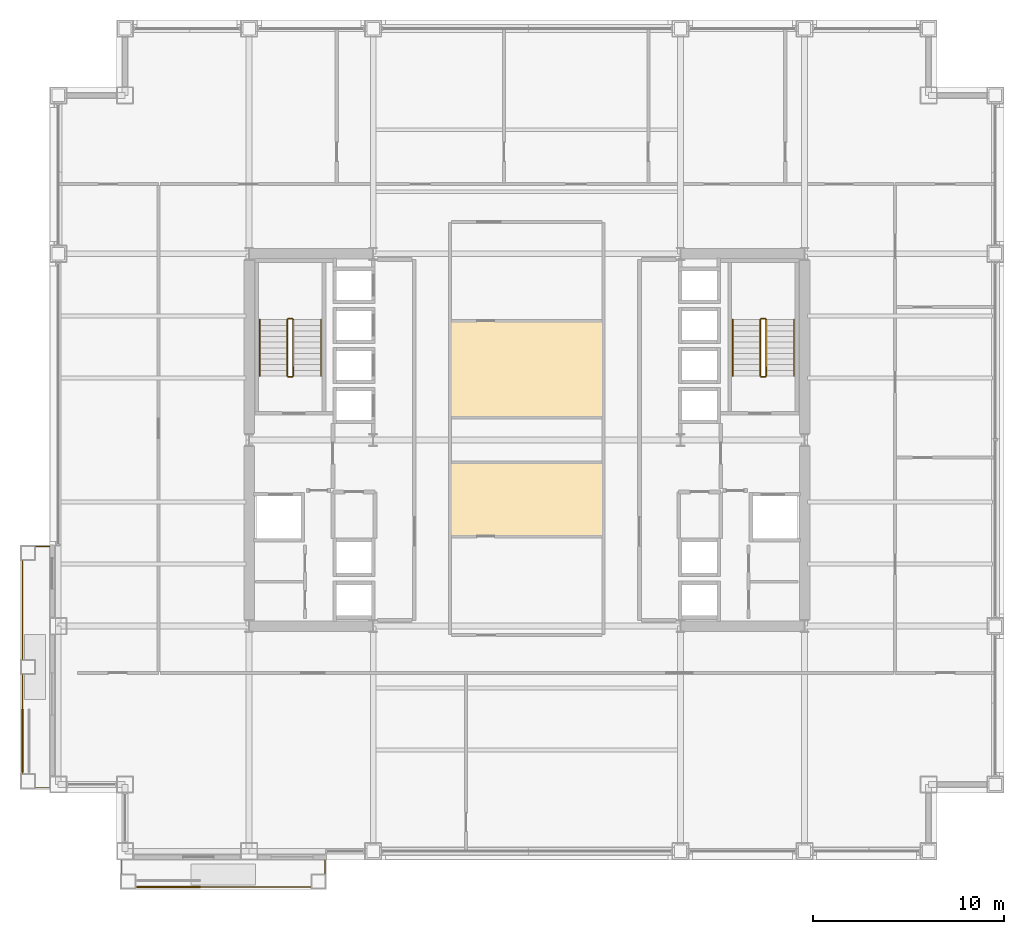
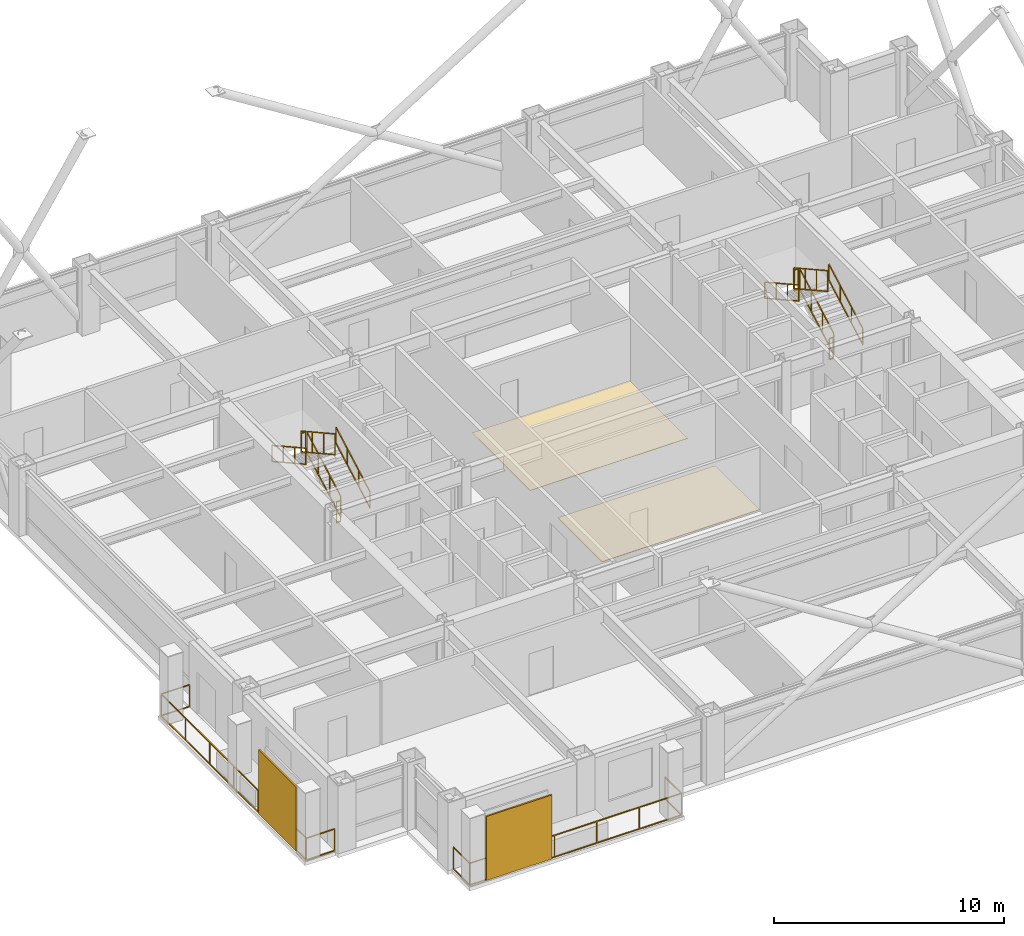
# One storey, part 28 of 29: 14 railings, 2 coverings, 2 shading devices.
"""IFC4 building model written with IfcOpenShell, lengths in metres."""

from ifc_helpers import new_model, si_unit, direction, frame, origin, origin_2d, place, context, subcontext, project, spatial, polyline, rectangle, outline, extrude, material, layer, layer_set, type_object, element, save


model = new_model("IFC4")

# Units and contexts
model_context = context("Model", 3, precision=1e-05, world=origin(), true_north=direction((0.0, 1.0)))
body_context = subcontext(model_context, "Body", "Model", "MODEL_VIEW")
ifc_project = project(units=[si_unit("LENGTHUNIT", "METRE"), si_unit("AREAUNIT", "SQUARE_METRE"), si_unit("VOLUMEUNIT", "CUBIC_METRE"), si_unit("PLANEANGLEUNIT", "RADIAN"), si_unit("MASSUNIT", "GRAM", prefix="KILO")], contexts=[model_context])

# Site, building, storey
site_placement = place(None, origin())
site = spatial("IfcSite", under=ifc_project, at=site_placement, CompositionType="ELEMENT")
building_placement = place(site_placement, origin())
building = spatial("IfcBuilding", under=site, at=building_placement, Name="Brelmoor Portico Tower", CompositionType="ELEMENT")
storey_placement = place(building_placement, frame((0.0, 0.0, 67.199951171875)))
storey = spatial("IfcBuildingStorey", under=building, at=storey_placement, Name="L17", CompositionType="ELEMENT", Elevation=67.199951171875)

# Coverings
ifc_material_1 = material(Name="Polished Pale-Aggregate Cementitious Terrazzo", Category="stone")
ifc_layer_1 = layer(ifc_material_1, 0.030029296875)
ifc_layer_set_1 = layer_set([ifc_layer_1], Name="Polished Pale-Aggregate Cementitious Terrazzo")
covering_type_1 = type_object("IfcCoveringType", Name="CV-FLR-TERRAZZO-30", PredefinedType="FLOORING", material=ifc_layer_set_1)
covering_1_placement = place(storey_placement, origin())
element("IfcCovering", 1, at=covering_1_placement, inside=storey, type_object=covering_type_1, Name="L17 Architectural Floor Finish 02", PredefinedType="FLOORING", context=body_context, shape_type="SweptSolid", body=[
    extrude(outline(polyline([(-3.9599609375, -5.06005859375), (-3.9599609375, -1.199951171875), (3.9599609375, -1.199951171875), (3.9599609375, -5.06005859375), (-3.9599609375, -5.06005859375)])), origin(), (0.0, 0.0, 1.0), 0.030029296875),
])
ifc_material_2 = material(Name="Engineered Quarter-Sawn Oak Parquet Flooring", Category="timber")
ifc_layer_2 = layer(ifc_material_2, 0.02197265625)
ifc_layer_set_2 = layer_set([ifc_layer_2], Name="Engineered Quarter-Sawn Oak Parquet Flooring")
covering_type_2 = type_object("IfcCoveringType", Name="CV-FLR-TIMBER-22", PredefinedType="FLOORING", material=ifc_layer_set_2)
covering_2_placement = place(storey_placement, origin())
element("IfcCovering", 2, at=covering_2_placement, inside=storey, type_object=covering_type_2, Name="L17 Architectural Floor Finish 01", PredefinedType="FLOORING", context=body_context, shape_type="SweptSolid", body=[
    extrude(outline(polyline([(-3.9599609375, 1.199951171875), (-3.9599609375, 6.260009765625), (3.9599609375, 6.260009765625), (3.9599609375, 1.199951171875), (-3.9599609375, 1.199951171875)])), origin(), (0.0, 0.0, 1.0), 0.02197265625),
])

# Railings
ifc_material_3 = material(Name="Perforated Pale Champagne Aluminium Fretwork Guard", Category="aluminium")
railing_type_1 = type_object("IfcRailingType", Name="RL-BALUSTRADE-1200", PredefinedType="BALUSTRADE", material=ifc_material_3)
railing_1_placement = place(storey_placement, frame((-21.219970703125, -22.0, 0.0)))
element("IfcRailing", 3, at=railing_1_placement, inside=storey, type_object=railing_type_1, Name="L17 Tree Balcony Fretwork Balustrade S", PredefinedType="BALUSTRADE", context=body_context, shape_type="SweptSolid", body=[
    extrude(rectangle(XDim=0.048095703125, YDim=0.048095703125, at=origin_2d()), frame((0.0, 0.0, 1.17578125), z_axis=(0.0, -1.0, 0.0), x_axis=(1.0, 0.0, 0.0)), (0.0, 0.0, 1.0), 1.429931640625),
    extrude(rectangle(XDim=0.048095703125, YDim=0.048095703125, at=origin_2d()), frame((0.0, 0.0, 0.02392578125), z_axis=(0.0, -1.0, 0.0), x_axis=(1.0, 0.0, 0.0)), (0.0, 0.0, 1.0), 1.429931640625),
    extrude(rectangle(XDim=0.048095703125, YDim=0.048095703125, at=origin_2d()), frame((0.0, -1.429931640625, 1.17578125), z_axis=(1.0, 0.0, 0.0), x_axis=(0.0, 1.0, 0.0)), (0.0, 0.0, 1.0), 10.639892578125),
    extrude(rectangle(XDim=0.048095703125, YDim=0.048095703125, at=origin_2d()), frame((0.0, -1.429931640625, 0.02392578125), z_axis=(1.0, 0.0, 0.0), x_axis=(0.0, 1.0, 0.0)), (0.0, 0.0, 1.0), 10.639892578125),
    extrude(rectangle(XDim=0.048095703125, YDim=0.048095703125, at=origin_2d()), frame((10.639892578125, -1.429931640625, 1.17578125), z_axis=(0.0, 1.0, 0.0), x_axis=(-1.0, 0.0, 0.0)), (0.0, 0.0, 1.0), 1.429931640625),
    extrude(rectangle(XDim=0.048095703125, YDim=0.048095703125, at=origin_2d()), frame((10.639892578125, -1.429931640625, 0.02392578125), z_axis=(0.0, 1.0, 0.0), x_axis=(-1.0, 0.0, 0.0)), (0.0, 0.0, 1.0), 1.429931640625),
    extrude(rectangle(XDim=0.0419921875, YDim=0.0419921875, at=origin_2d()), origin(), (0.0, 0.0, 1.0), 1.15185546875),
    extrude(rectangle(XDim=0.0419921875, YDim=0.0419921875, at=origin_2d()), frame((0.0, -1.429931640625, 0.0)), (0.0, 0.0, 1.0), 1.15185546875),
    extrude(rectangle(XDim=0.0419921875, YDim=0.0419921875, at=origin_2d()), frame((2.1279296875, -1.429931640625, 0.0)), (0.0, 0.0, 1.0), 1.15185546875),
    extrude(rectangle(XDim=0.0419921875, YDim=0.0419921875, at=origin_2d()), frame((4.255859375, -1.429931640625, 0.0)), (0.0, 0.0, 1.0), 1.15185546875),
    extrude(rectangle(XDim=0.0419921875, YDim=0.0419921875, at=origin_2d()), frame((6.384033203125, -1.429931640625, 0.0)), (0.0, 0.0, 1.0), 1.15185546875),
    extrude(rectangle(XDim=0.0419921875, YDim=0.0419921875, at=origin_2d()), frame((8.511962890625, -1.429931640625, 0.0)), (0.0, 0.0, 1.0), 1.15185546875),
    extrude(rectangle(XDim=0.0419921875, YDim=0.0419921875, at=origin_2d()), frame((10.639892578125, -1.429931640625, 0.0)), (0.0, 0.0, 1.0), 1.15185546875),
    extrude(rectangle(XDim=0.0419921875, YDim=0.0419921875, at=origin_2d()), frame((10.639892578125, 0.0, 0.0)), (0.0, 0.0, 1.0), 1.15185546875),
])
railing_2_placement = place(storey_placement, frame((-25.0, -18.219970703125, 0.0)))
element("IfcRailing", 4, at=railing_2_placement, inside=storey, type_object=railing_type_1, Name="L17 Tree Balcony Fretwork Balustrade W", PredefinedType="BALUSTRADE", context=body_context, shape_type="SweptSolid", body=[
    extrude(rectangle(XDim=0.048095703125, YDim=0.048095703125, at=origin_2d()), frame((0.0, 0.0, 1.17578125), z_axis=(-1.0, 0.0, 0.0), x_axis=(0.0, -1.0, 0.0)), (0.0, 0.0, 1.0), 1.429931640625),
    extrude(rectangle(XDim=0.048095703125, YDim=0.048095703125, at=origin_2d()), frame((0.0, 0.0, 0.02392578125), z_axis=(-1.0, 0.0, 0.0), x_axis=(0.0, -1.0, 0.0)), (0.0, 0.0, 1.0), 1.429931640625),
    extrude(rectangle(XDim=0.048095703125, YDim=0.048095703125, at=origin_2d()), frame((-1.429931640625, 0.0, 1.17578125), z_axis=(0.0, 1.0, 0.0), x_axis=(-1.0, 0.0, 0.0)), (0.0, 0.0, 1.0), 12.639892578125),
    extrude(rectangle(XDim=0.048095703125, YDim=0.048095703125, at=origin_2d()), frame((-1.429931640625, 0.0, 0.02392578125), z_axis=(0.0, 1.0, 0.0), x_axis=(-1.0, 0.0, 0.0)), (0.0, 0.0, 1.0), 12.639892578125),
    extrude(rectangle(XDim=0.048095703125, YDim=0.048095703125, at=origin_2d()), frame((-1.429931640625, 12.639892578125, 1.17578125), z_axis=(1.0, 0.0, 0.0), x_axis=(0.0, 1.0, 0.0)), (0.0, 0.0, 1.0), 1.429931640625),
    extrude(rectangle(XDim=0.048095703125, YDim=0.048095703125, at=origin_2d()), frame((-1.429931640625, 12.639892578125, 0.02392578125), z_axis=(1.0, 0.0, 0.0), x_axis=(0.0, 1.0, 0.0)), (0.0, 0.0, 1.0), 1.429931640625),
    extrude(rectangle(XDim=0.0419921875, YDim=0.0419921875, at=origin_2d()), origin(), (0.0, 0.0, 1.0), 1.15185546875),
    extrude(rectangle(XDim=0.0419921875, YDim=0.0419921875, at=origin_2d()), frame((-1.429931640625, 0.0, 0.0)), (0.0, 0.0, 1.0), 1.15185546875),
    extrude(rectangle(XDim=0.0419921875, YDim=0.0419921875, at=origin_2d()), frame((-1.429931640625, 2.106689453125, 0.0)), (0.0, 0.0, 1.0), 1.15185546875),
    extrude(rectangle(XDim=0.0419921875, YDim=0.0419921875, at=origin_2d()), frame((-1.429931640625, 4.21337890625, 0.0)), (0.0, 0.0, 1.0), 1.15185546875),
    extrude(rectangle(XDim=0.0419921875, YDim=0.0419921875, at=origin_2d()), frame((-1.429931640625, 6.31982421875, 0.0)), (0.0, 0.0, 1.0), 1.15185546875),
    extrude(rectangle(XDim=0.0419921875, YDim=0.0419921875, at=origin_2d()), frame((-1.429931640625, 8.426513671875, 0.0)), (0.0, 0.0, 1.0), 1.15185546875),
    extrude(rectangle(XDim=0.0419921875, YDim=0.0419921875, at=origin_2d()), frame((-1.429931640625, 10.533203125, 0.0)), (0.0, 0.0, 1.0), 1.15185546875),
    extrude(rectangle(XDim=0.0419921875, YDim=0.0419921875, at=origin_2d()), frame((-1.429931640625, 12.639892578125, 0.0)), (0.0, 0.0, 1.0), 1.15185546875),
    extrude(rectangle(XDim=0.0419921875, YDim=0.0419921875, at=origin_2d()), frame((0.0, 12.639892578125, 0.0)), (0.0, 0.0, 1.0), 1.15185546875),
])
ifc_material_4 = material(Name="Painted Tubular Steel Q235B", Category="steel")
railing_type_2 = type_object("IfcRailingType", Name="RL-STAIR-GUARD", PredefinedType="GUARDRAIL", material=ifc_material_4)
railing_3_placement = place(storey_placement, frame((-12.239990234375, 3.35009765625, 0.16357421875)))
element("IfcRailing", 5, at=railing_3_placement, inside=storey, type_object=railing_type_2, Name="L17 ST-W stair guard 1", PredefinedType="GUARDRAIL", context=body_context, shape_type="SweptSolid", body=[
    extrude(rectangle(XDim=0.048095703125, YDim=0.048095703125, at=origin_2d()), frame((0.0, 0.0, 1.1259765625), z_axis=(0.0, 0.874457516365, 0.485102104791), x_axis=(-1.0, 0.0, 0.0)), (0.0, 0.0, 1.0), 3.37353515625),
    extrude(rectangle(XDim=0.048095703125, YDim=0.048095703125, at=origin_2d()), frame((0.0, 0.0, 0.02392578125), z_axis=(0.0, 0.874457516365, 0.485102104791), x_axis=(-1.0, 0.0, 0.0)), (0.0, 0.0, 1.0), 3.37353515625),
    extrude(rectangle(XDim=0.0419921875, YDim=0.0419921875, at=origin_2d()), origin(), (0.0, 0.0, 1.0), 1.101806640625),
    extrude(rectangle(XDim=0.0419921875, YDim=0.0419921875, at=origin_2d()), frame((0.0, 0.9833984375, 0.54541015625)), (0.0, 0.0, 1.0), 1.101806640625),
    extrude(rectangle(XDim=0.0419921875, YDim=0.0419921875, at=origin_2d()), frame((0.0, 1.966552734375, 1.091064453125)), (0.0, 0.0, 1.0), 1.101806640625),
    extrude(rectangle(XDim=0.0419921875, YDim=0.0419921875, at=origin_2d()), frame((0.0, 2.949951171875, 1.636474609375)), (0.0, 0.0, 1.0), 1.101806640625),
])
railing_4_placement = place(storey_placement, frame((-12.2900390625, 6.35009765625, 1.800048828125)))
element("IfcRailing", 6, at=railing_4_placement, inside=storey, type_object=railing_type_2, Name="L17 ST-W stair guard 2", PredefinedType="GUARDRAIL", context=body_context, shape_type="SweptSolid", body=[
    extrude(rectangle(XDim=0.048095703125, YDim=0.048095703125, at=origin_2d()), frame((0.0, 0.0, 1.1259765625), z_axis=(-1.0, 0.0, 0.0), x_axis=(0.0, -1.0, 0.0)), (0.0, 0.0, 1.0), 0.199951171875),
    extrude(rectangle(XDim=0.048095703125, YDim=0.048095703125, at=origin_2d()), frame((0.0, 0.0, 0.02392578125), z_axis=(-1.0, 0.0, 0.0), x_axis=(0.0, -1.0, 0.0)), (0.0, 0.0, 1.0), 0.199951171875),
    extrude(rectangle(XDim=0.0419921875, YDim=0.0419921875, at=origin_2d()), origin(), (0.0, 0.0, 1.0), 1.101806640625),
    extrude(rectangle(XDim=0.0419921875, YDim=0.0419921875, at=origin_2d()), frame((-0.199951171875, 0.0, 0.0)), (0.0, 0.0, 1.0), 1.101806640625),
])
railing_5_placement = place(storey_placement, frame((-12.5400390625, 6.300048828125, 1.963623046875)))
element("IfcRailing", 7, at=railing_5_placement, inside=storey, type_object=railing_type_2, Name="L17 ST-W stair guard 3", PredefinedType="GUARDRAIL", context=body_context, shape_type="SweptSolid", body=[
    extrude(rectangle(XDim=0.048095703125, YDim=0.048095703125, at=origin_2d()), frame((0.0, 0.0, 1.1259765625), z_axis=(0.0, -0.874457516365, 0.485102104791), x_axis=(1.0, 0.0, 0.0)), (0.0, 0.0, 1.0), 3.37353515625),
    extrude(rectangle(XDim=0.048095703125, YDim=0.048095703125, at=origin_2d()), frame((0.0, 0.0, 0.02392578125), z_axis=(0.0, -0.874457516365, 0.485102104791), x_axis=(1.0, 0.0, 0.0)), (0.0, 0.0, 1.0), 3.37353515625),
    extrude(rectangle(XDim=0.0419921875, YDim=0.0419921875, at=origin_2d()), origin(), (0.0, 0.0, 1.0), 1.101806640625),
    extrude(rectangle(XDim=0.0419921875, YDim=0.0419921875, at=origin_2d()), frame((0.0, -0.9833984375, 0.54541015625)), (0.0, 0.0, 1.0), 1.101806640625),
    extrude(rectangle(XDim=0.0419921875, YDim=0.0419921875, at=origin_2d()), frame((0.0, -1.966552734375, 1.091064453125)), (0.0, 0.0, 1.0), 1.101806640625),
    extrude(rectangle(XDim=0.0419921875, YDim=0.0419921875, at=origin_2d()), frame((0.0, -2.949951171875, 1.636474609375)), (0.0, 0.0, 1.0), 1.101806640625),
])
railing_6_placement = place(storey_placement, frame((-12.2900390625, 3.300048828125, 0.0)))
element("IfcRailing", 8, at=railing_6_placement, inside=storey, type_object=railing_type_2, Name="L17 ST-W stair guard 4", PredefinedType="GUARDRAIL", context=body_context, shape_type="SweptSolid", body=[
    extrude(rectangle(XDim=0.048095703125, YDim=0.048095703125, at=origin_2d()), frame((0.0, 0.0, 1.1259765625), z_axis=(-1.0, 0.0, 0.0), x_axis=(0.0, -1.0, 0.0)), (0.0, 0.0, 1.0), 0.199951171875),
    extrude(rectangle(XDim=0.048095703125, YDim=0.048095703125, at=origin_2d()), frame((0.0, 0.0, 0.02392578125), z_axis=(-1.0, 0.0, 0.0), x_axis=(0.0, -1.0, 0.0)), (0.0, 0.0, 1.0), 0.199951171875),
    extrude(rectangle(XDim=0.0419921875, YDim=0.0419921875, at=origin_2d()), origin(), (0.0, 0.0, 1.0), 1.101806640625),
    extrude(rectangle(XDim=0.0419921875, YDim=0.0419921875, at=origin_2d()), frame((-0.199951171875, 0.0, 0.0)), (0.0, 0.0, 1.0), 1.101806640625),
])
railing_7_placement = place(storey_placement, frame((12.5400390625, 3.35009765625, 0.16357421875)))
element("IfcRailing", 9, at=railing_7_placement, inside=storey, type_object=railing_type_2, Name="L17 ST-E stair guard 1", PredefinedType="GUARDRAIL", context=body_context, shape_type="SweptSolid", body=[
    extrude(rectangle(XDim=0.048095703125, YDim=0.048095703125, at=origin_2d()), frame((0.0, 0.0, 1.1259765625), z_axis=(0.0, 0.874457516365, 0.485102104791), x_axis=(-1.0, 0.0, 0.0)), (0.0, 0.0, 1.0), 3.37353515625),
    extrude(rectangle(XDim=0.048095703125, YDim=0.048095703125, at=origin_2d()), frame((0.0, 0.0, 0.02392578125), z_axis=(0.0, 0.874457516365, 0.485102104791), x_axis=(-1.0, 0.0, 0.0)), (0.0, 0.0, 1.0), 3.37353515625),
    extrude(rectangle(XDim=0.0419921875, YDim=0.0419921875, at=origin_2d()), origin(), (0.0, 0.0, 1.0), 1.101806640625),
    extrude(rectangle(XDim=0.0419921875, YDim=0.0419921875, at=origin_2d()), frame((0.0, 0.9833984375, 0.54541015625)), (0.0, 0.0, 1.0), 1.101806640625),
    extrude(rectangle(XDim=0.0419921875, YDim=0.0419921875, at=origin_2d()), frame((0.0, 1.966552734375, 1.091064453125)), (0.0, 0.0, 1.0), 1.101806640625),
    extrude(rectangle(XDim=0.0419921875, YDim=0.0419921875, at=origin_2d()), frame((0.0, 2.949951171875, 1.636474609375)), (0.0, 0.0, 1.0), 1.101806640625),
])
railing_8_placement = place(storey_placement, frame((12.489990234375, 6.35009765625, 1.800048828125)))
element("IfcRailing", 10, at=railing_8_placement, inside=storey, type_object=railing_type_2, Name="L17 ST-E stair guard 2", PredefinedType="GUARDRAIL", context=body_context, shape_type="SweptSolid", body=[
    extrude(rectangle(XDim=0.048095703125, YDim=0.048095703125, at=origin_2d()), frame((0.0, 0.0, 1.1259765625), z_axis=(-1.0, 0.0, 0.0), x_axis=(0.0, -1.0, 0.0)), (0.0, 0.0, 1.0), 0.199951171875),
    extrude(rectangle(XDim=0.048095703125, YDim=0.048095703125, at=origin_2d()), frame((0.0, 0.0, 0.02392578125), z_axis=(-1.0, 0.0, 0.0), x_axis=(0.0, -1.0, 0.0)), (0.0, 0.0, 1.0), 0.199951171875),
    extrude(rectangle(XDim=0.0419921875, YDim=0.0419921875, at=origin_2d()), origin(), (0.0, 0.0, 1.0), 1.101806640625),
    extrude(rectangle(XDim=0.0419921875, YDim=0.0419921875, at=origin_2d()), frame((-0.199951171875, 0.0, 0.0)), (0.0, 0.0, 1.0), 1.101806640625),
])
railing_9_placement = place(storey_placement, frame((12.239990234375, 6.300048828125, 1.963623046875)))
element("IfcRailing", 11, at=railing_9_placement, inside=storey, type_object=railing_type_2, Name="L17 ST-E stair guard 3", PredefinedType="GUARDRAIL", context=body_context, shape_type="SweptSolid", body=[
    extrude(rectangle(XDim=0.048095703125, YDim=0.048095703125, at=origin_2d()), frame((0.0, 0.0, 1.1259765625), z_axis=(0.0, -0.874457516365, 0.485102104791), x_axis=(1.0, 0.0, 0.0)), (0.0, 0.0, 1.0), 3.37353515625),
    extrude(rectangle(XDim=0.048095703125, YDim=0.048095703125, at=origin_2d()), frame((0.0, 0.0, 0.02392578125), z_axis=(0.0, -0.874457516365, 0.485102104791), x_axis=(1.0, 0.0, 0.0)), (0.0, 0.0, 1.0), 3.37353515625),
    extrude(rectangle(XDim=0.0419921875, YDim=0.0419921875, at=origin_2d()), origin(), (0.0, 0.0, 1.0), 1.101806640625),
    extrude(rectangle(XDim=0.0419921875, YDim=0.0419921875, at=origin_2d()), frame((0.0, -0.9833984375, 0.54541015625)), (0.0, 0.0, 1.0), 1.101806640625),
    extrude(rectangle(XDim=0.0419921875, YDim=0.0419921875, at=origin_2d()), frame((0.0, -1.966552734375, 1.091064453125)), (0.0, 0.0, 1.0), 1.101806640625),
    extrude(rectangle(XDim=0.0419921875, YDim=0.0419921875, at=origin_2d()), frame((0.0, -2.949951171875, 1.636474609375)), (0.0, 0.0, 1.0), 1.101806640625),
])
railing_10_placement = place(storey_placement, frame((12.489990234375, 3.300048828125, 0.0)))
element("IfcRailing", 12, at=railing_10_placement, inside=storey, type_object=railing_type_2, Name="L17 ST-E stair guard 4", PredefinedType="GUARDRAIL", context=body_context, shape_type="SweptSolid", body=[
    extrude(rectangle(XDim=0.048095703125, YDim=0.048095703125, at=origin_2d()), frame((0.0, 0.0, 1.1259765625), z_axis=(-1.0, 0.0, 0.0), x_axis=(0.0, -1.0, 0.0)), (0.0, 0.0, 1.0), 0.199951171875),
    extrude(rectangle(XDim=0.048095703125, YDim=0.048095703125, at=origin_2d()), frame((0.0, 0.0, 0.02392578125), z_axis=(-1.0, 0.0, 0.0), x_axis=(0.0, -1.0, 0.0)), (0.0, 0.0, 1.0), 0.199951171875),
    extrude(rectangle(XDim=0.0419921875, YDim=0.0419921875, at=origin_2d()), origin(), (0.0, 0.0, 1.0), 1.101806640625),
    extrude(rectangle(XDim=0.0419921875, YDim=0.0419921875, at=origin_2d()), frame((-0.199951171875, 0.0, 0.0)), (0.0, 0.0, 1.0), 1.101806640625),
])
ifc_material_5 = material(Name="Brushed Stainless Steel 304", Category="steel")
railing_type_3 = type_object("IfcRailingType", Name="RL-STAIR-HANDRAIL", PredefinedType="HANDRAIL", material=ifc_material_5)
railing_11_placement = place(storey_placement, frame((-10.780029296875, 3.35009765625, 0.16357421875)))
element("IfcRailing", 13, at=railing_11_placement, inside=storey, type_object=railing_type_3, Name="L17 ST-W stair handrail 1", PredefinedType="HANDRAIL", context=body_context, shape_type="SweptSolid", body=[
    extrude(rectangle(XDim=0.048095703125, YDim=0.048095703125, at=origin_2d()), frame((0.0, 0.0, 0.8759765625), z_axis=(0.0, 0.874457516365, 0.485102104791), x_axis=(-1.0, 0.0, 0.0)), (0.0, 0.0, 1.0), 3.37353515625),
    extrude(rectangle(XDim=0.048095703125, YDim=0.048095703125, at=origin_2d()), frame((0.0, 0.0, 0.02392578125), z_axis=(0.0, 0.874457516365, 0.485102104791), x_axis=(-1.0, 0.0, 0.0)), (0.0, 0.0, 1.0), 3.37353515625),
    extrude(rectangle(XDim=0.0419921875, YDim=0.0419921875, at=origin_2d()), origin(), (0.0, 0.0, 1.0), 0.851806640625),
    extrude(rectangle(XDim=0.0419921875, YDim=0.0419921875, at=origin_2d()), frame((0.0, 0.9833984375, 0.54541015625)), (0.0, 0.0, 1.0), 0.851806640625),
    extrude(rectangle(XDim=0.0419921875, YDim=0.0419921875, at=origin_2d()), frame((0.0, 1.966552734375, 1.091064453125)), (0.0, 0.0, 1.0), 0.851806640625),
    extrude(rectangle(XDim=0.0419921875, YDim=0.0419921875, at=origin_2d()), frame((0.0, 2.949951171875, 1.636474609375)), (0.0, 0.0, 1.0), 0.851806640625),
])
railing_12_placement = place(storey_placement, frame((-14.0, 6.300048828125, 1.963623046875)))
element("IfcRailing", 14, at=railing_12_placement, inside=storey, type_object=railing_type_3, Name="L17 ST-W stair handrail 2", PredefinedType="HANDRAIL", context=body_context, shape_type="SweptSolid", body=[
    extrude(rectangle(XDim=0.048095703125, YDim=0.048095703125, at=origin_2d()), frame((0.0, 0.0, 0.8759765625), z_axis=(0.0, -0.874457516365, 0.485102104791), x_axis=(1.0, 0.0, 0.0)), (0.0, 0.0, 1.0), 3.37353515625),
    extrude(rectangle(XDim=0.048095703125, YDim=0.048095703125, at=origin_2d()), frame((0.0, 0.0, 0.02392578125), z_axis=(0.0, -0.874457516365, 0.485102104791), x_axis=(1.0, 0.0, 0.0)), (0.0, 0.0, 1.0), 3.37353515625),
    extrude(rectangle(XDim=0.0419921875, YDim=0.0419921875, at=origin_2d()), origin(), (0.0, 0.0, 1.0), 0.851806640625),
    extrude(rectangle(XDim=0.0419921875, YDim=0.0419921875, at=origin_2d()), frame((0.0, -0.9833984375, 0.54541015625)), (0.0, 0.0, 1.0), 0.851806640625),
    extrude(rectangle(XDim=0.0419921875, YDim=0.0419921875, at=origin_2d()), frame((0.0, -1.966552734375, 1.091064453125)), (0.0, 0.0, 1.0), 0.851806640625),
    extrude(rectangle(XDim=0.0419921875, YDim=0.0419921875, at=origin_2d()), frame((0.0, -2.949951171875, 1.636474609375)), (0.0, 0.0, 1.0), 0.851806640625),
])
railing_13_placement = place(storey_placement, frame((14.0, 3.35009765625, 0.16357421875)))
element("IfcRailing", 15, at=railing_13_placement, inside=storey, type_object=railing_type_3, Name="L17 ST-E stair handrail 1", PredefinedType="HANDRAIL", context=body_context, shape_type="SweptSolid", body=[
    extrude(rectangle(XDim=0.048095703125, YDim=0.048095703125, at=origin_2d()), frame((0.0, 0.0, 0.8759765625), z_axis=(0.0, 0.874457516365, 0.485102104791), x_axis=(-1.0, 0.0, 0.0)), (0.0, 0.0, 1.0), 3.37353515625),
    extrude(rectangle(XDim=0.048095703125, YDim=0.048095703125, at=origin_2d()), frame((0.0, 0.0, 0.02392578125), z_axis=(0.0, 0.874457516365, 0.485102104791), x_axis=(-1.0, 0.0, 0.0)), (0.0, 0.0, 1.0), 3.37353515625),
    extrude(rectangle(XDim=0.0419921875, YDim=0.0419921875, at=origin_2d()), origin(), (0.0, 0.0, 1.0), 0.851806640625),
    extrude(rectangle(XDim=0.0419921875, YDim=0.0419921875, at=origin_2d()), frame((0.0, 0.9833984375, 0.54541015625)), (0.0, 0.0, 1.0), 0.851806640625),
    extrude(rectangle(XDim=0.0419921875, YDim=0.0419921875, at=origin_2d()), frame((0.0, 1.966552734375, 1.091064453125)), (0.0, 0.0, 1.0), 0.851806640625),
    extrude(rectangle(XDim=0.0419921875, YDim=0.0419921875, at=origin_2d()), frame((0.0, 2.949951171875, 1.636474609375)), (0.0, 0.0, 1.0), 0.851806640625),
])
railing_14_placement = place(storey_placement, frame((10.780029296875, 6.300048828125, 1.963623046875)))
element("IfcRailing", 16, at=railing_14_placement, inside=storey, type_object=railing_type_3, Name="L17 ST-E stair handrail 2", PredefinedType="HANDRAIL", context=body_context, shape_type="SweptSolid", body=[
    extrude(rectangle(XDim=0.048095703125, YDim=0.048095703125, at=origin_2d()), frame((0.0, 0.0, 0.8759765625), z_axis=(0.0, -0.874457516365, 0.485102104791), x_axis=(1.0, 0.0, 0.0)), (0.0, 0.0, 1.0), 3.37353515625),
    extrude(rectangle(XDim=0.048095703125, YDim=0.048095703125, at=origin_2d()), frame((0.0, 0.0, 0.02392578125), z_axis=(0.0, -0.874457516365, 0.485102104791), x_axis=(1.0, 0.0, 0.0)), (0.0, 0.0, 1.0), 3.37353515625),
    extrude(rectangle(XDim=0.0419921875, YDim=0.0419921875, at=origin_2d()), origin(), (0.0, 0.0, 1.0), 0.851806640625),
    extrude(rectangle(XDim=0.0419921875, YDim=0.0419921875, at=origin_2d()), frame((0.0, -0.9833984375, 0.54541015625)), (0.0, 0.0, 1.0), 0.851806640625),
    extrude(rectangle(XDim=0.0419921875, YDim=0.0419921875, at=origin_2d()), frame((0.0, -1.966552734375, 1.091064453125)), (0.0, 0.0, 1.0), 0.851806640625),
    extrude(rectangle(XDim=0.0419921875, YDim=0.0419921875, at=origin_2d()), frame((0.0, -2.949951171875, 1.636474609375)), (0.0, 0.0, 1.0), 0.851806640625),
])

# Shading devices
ifc_material_6 = material(Name="Powder-Coated Aluminium Shuttered Jalousie", Category="aluminium")
ifc_layer_3 = layer(ifc_material_6, 0.080078125)
ifc_layer_set_3 = layer_set([ifc_layer_3], Name="Powder-Coated Aluminium Shuttered Jalousie")
shading_device_type = type_object("IfcShadingDeviceType", Name="SD-JALOUSIE-LOGGIA", PredefinedType="JALOUSIE", material=ifc_layer_set_3)
for number, where, z_axis, x_axis, name in (
    (17, (-18.75, -23.429931640625, 0.0), (0.0, 0.0, 1.0), (1.0, 0.0, 0.0), "L17 Loggia Shuttered Jalousie S"),
    (18, (-26.429931640625, -15.75, 0.0), (0.0, 0.0, 1.0), (0.0, 1.0, 0.0), "L17 Loggia Shuttered Jalousie W"),
):
    element("IfcShadingDevice", number, at=place(storey_placement, frame(where, z_axis=z_axis, x_axis=x_axis)), inside=storey, type_object=shading_device_type, Name=name, PredefinedType="JALOUSIE", context=body_context, shape_type="SweptSolid", body=[
        extrude(rectangle(XDim=3.300048828125, YDim=0.080078125, at=origin_2d()), origin(), (0.0, 0.0, 1.0), 3.39990234375),
    ])

save(model, "model.ifc")
